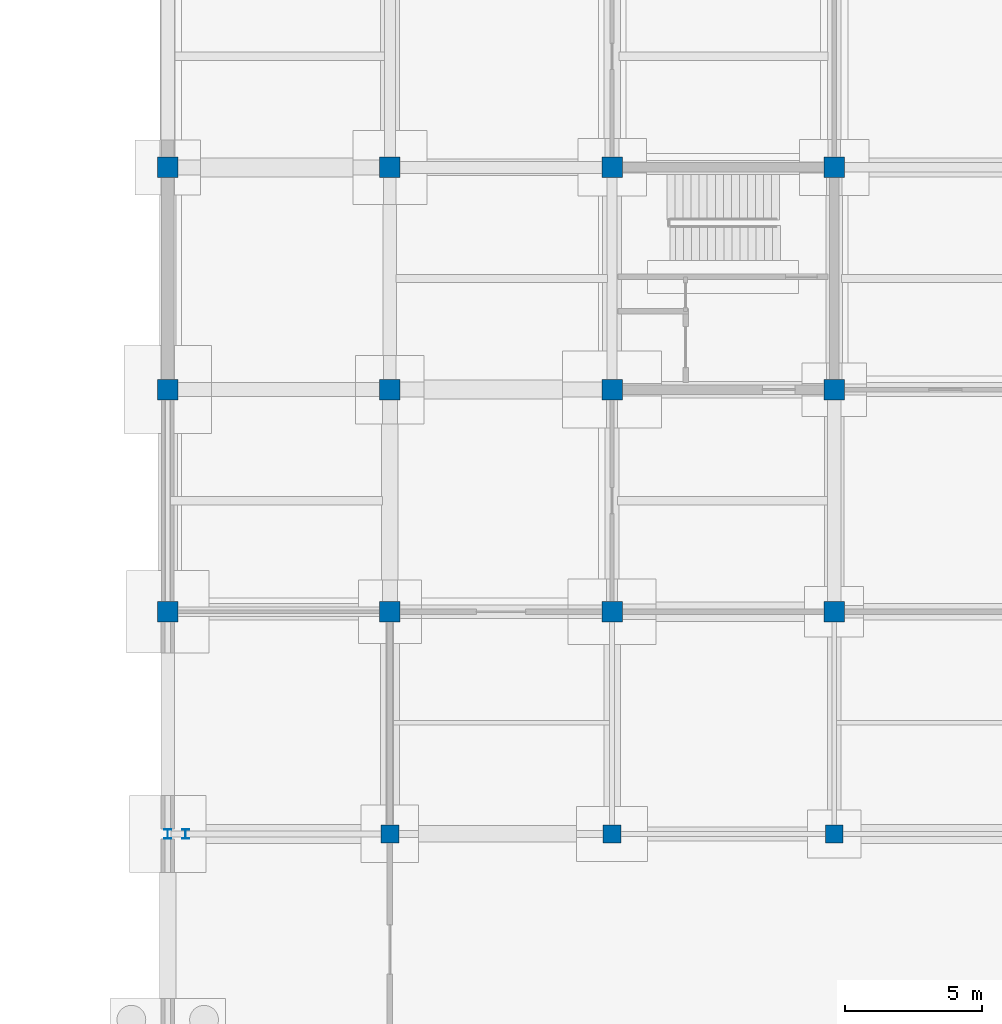
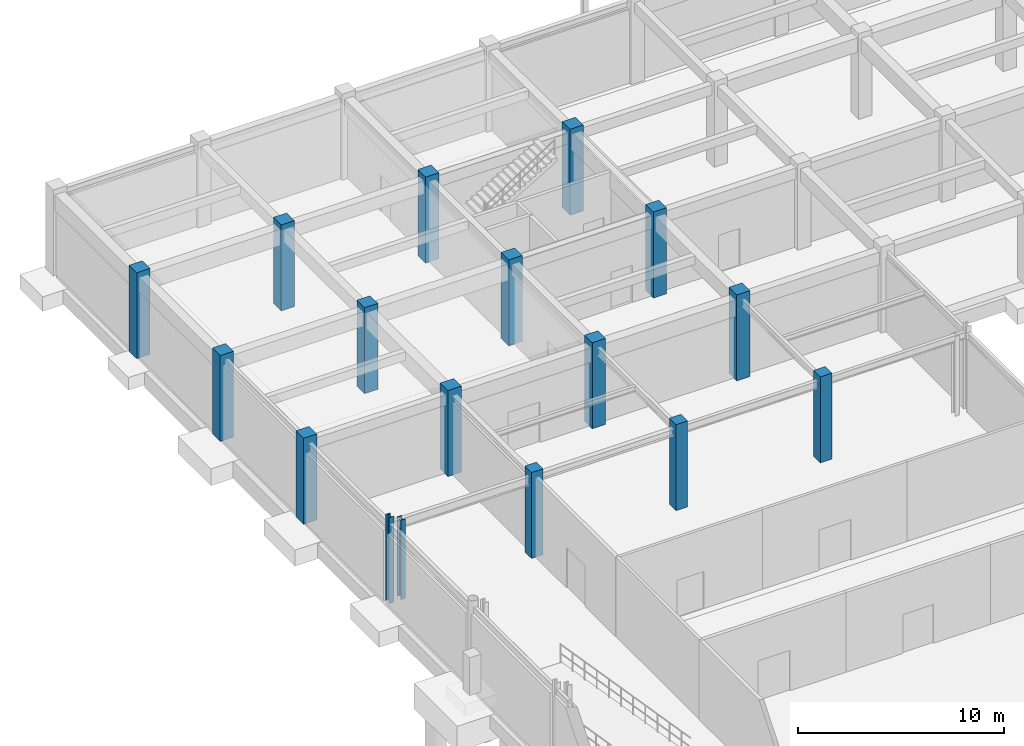
# One storey, part 20 of 67: 17 columns.
"""IFC4 building model written with IfcOpenShell, lengths in metres."""

from ifc_helpers import new_model, si_unit, direction, frame, origin, origin_2d, place, context, subcontext, project, spatial, rectangle, i_section, extrude, material, material_profile, profile_set, type_object, element, save


model = new_model("IFC4")

# Units and contexts
model_context = context("Model", 3, precision=1e-05, world=origin(), true_north=direction((0.0, 1.0)))
body_context = subcontext(model_context, "Body", "Model", "MODEL_VIEW")
ifc_project = project(units=[si_unit("LENGTHUNIT", "METRE"), si_unit("AREAUNIT", "SQUARE_METRE"), si_unit("VOLUMEUNIT", "CUBIC_METRE"), si_unit("PLANEANGLEUNIT", "RADIAN"), si_unit("MASSUNIT", "GRAM", prefix="KILO")], contexts=[model_context])

# Site, building, storey
site_placement = place(None, origin())
site = spatial("IfcSite", under=ifc_project, at=site_placement, CompositionType="ELEMENT")
building_placement = place(site_placement, origin())
building = spatial("IfcBuilding", under=site, at=building_placement, Name="Vaudrelin Polytechnic", CompositionType="ELEMENT")
storey_placement = place(building_placement, frame((0.0, 0.0, -5.10009765625)))
storey = spatial("IfcBuildingStorey", under=building, at=storey_placement, Name="B1", CompositionType="ELEMENT", Elevation=-5.10009765625)

# Columns
ifc_material_1 = material(Name="Concrete 40 MPa", Category="concrete")
ifc_material_profile_1 = material_profile(ifc_material_1, rectangle(XDim=0.64990234375, YDim=0.64990234375, at=origin_2d()), Name="RC650x650")
ifc_profile_set_1 = profile_set([ifc_material_profile_1], Name="Concrete 40 MPa")
column_type_1 = type_object("IfcColumnType", Name="COL-C-RC650", PredefinedType="COLUMN", material=ifc_profile_set_1)
for number, where, z_axis, x_axis, name in (
    (1, (8.10009765625, 89.10009765625, 0.0), (0.0, 0.0, 1.0), (1.0, 0.0, 0.0), "Column B1 2-12"),
    (2, (16.199951171875, 89.10009765625, 0.0), (0.0, 0.0, 1.0), (1.0, 0.0, 0.0), "Column B1 3-12"),
    (3, (24.300048828125, 89.10009765625, 0.0), (0.0, 0.0, 1.0), (1.0, 0.0, 0.0), "Column B1 4-12"),
):
    element("IfcColumn", number, at=place(storey_placement, frame(where, z_axis=z_axis, x_axis=x_axis)), inside=storey, type_object=column_type_1, Name=name, PredefinedType="COLUMN", context=body_context, shape_type="SweptSolid", body=[
        extrude(rectangle(XDim=0.64990234375, YDim=0.64990234375, at=origin_2d()), origin(), (0.0, 0.0, 1.0), 5.10009765625),
    ])
ifc_material_2 = material(Name="Concrete 50 MPa", Category="concrete")
ifc_material_profile_2 = material_profile(ifc_material_2, rectangle(XDim=0.75, YDim=0.75, at=origin_2d()), Name="RC750x750")
ifc_profile_set_2 = profile_set([ifc_material_profile_2], Name="Concrete 50 MPa")
column_type_2 = type_object("IfcColumnType", Name="COL-C-RC750", PredefinedType="COLUMN", material=ifc_profile_set_2)
for number, where, z_axis, x_axis, name in (
    (4, (0.0, 97.199951171875, 0.0), (0.0, 0.0, 1.0), (1.0, 0.0, 0.0), "Column B1 1-13"),
    (5, (0.0, 105.300048828125, 0.0), (0.0, 0.0, 1.0), (1.0, 0.0, 0.0), "Column B1 1-14"),
    (6, (0.0, 113.39990234375, 0.0), (0.0, 0.0, 1.0), (1.0, 0.0, 0.0), "Column B1 1-15"),
    (7, (8.10009765625, 97.199951171875, 0.0), (0.0, 0.0, 1.0), (1.0, 0.0, 0.0), "Column B1 2-13"),
    (8, (8.10009765625, 105.300048828125, 0.0), (0.0, 0.0, 1.0), (1.0, 0.0, 0.0), "Column B1 2-14"),
    (9, (8.10009765625, 113.39990234375, 0.0), (0.0, 0.0, 1.0), (1.0, 0.0, 0.0), "Column B1 2-15"),
    (10, (16.199951171875, 97.199951171875, 0.0), (0.0, 0.0, 1.0), (1.0, 0.0, 0.0), "Column B1 3-13"),
    (11, (16.199951171875, 105.300048828125, 0.0), (0.0, 0.0, 1.0), (1.0, 0.0, 0.0), "Column B1 3-14"),
    (12, (16.199951171875, 113.39990234375, 0.0), (0.0, 0.0, 1.0), (1.0, 0.0, 0.0), "Column B1 3-15"),
    (13, (24.300048828125, 97.199951171875, 0.0), (0.0, 0.0, 1.0), (1.0, 0.0, 0.0), "Column B1 4-13"),
    (14, (24.300048828125, 105.300048828125, 0.0), (0.0, 0.0, 1.0), (1.0, 0.0, 0.0), "Column B1 4-14"),
    (15, (24.300048828125, 113.39990234375, 0.0), (0.0, 0.0, 1.0), (1.0, 0.0, 0.0), "Column B1 4-15"),
):
    element("IfcColumn", number, at=place(storey_placement, frame(where, z_axis=z_axis, x_axis=x_axis)), inside=storey, type_object=column_type_2, Name=name, PredefinedType="COLUMN", context=body_context, shape_type="SweptSolid", body=[
        extrude(rectangle(XDim=0.75, YDim=0.75, at=origin_2d()), origin(), (0.0, 0.0, 1.0), 5.10009765625),
    ])
ifc_material_3 = material(Name="Steel CSA G40.21 350W", Category="steel")
ifc_material_profile_3 = material_profile(ifc_material_3, i_section(OverallWidth=0.25390625, OverallDepth=0.35302734375, WebThickness=0.009521484375, FlangeThickness=0.016357421875, FilletRadius=0.01611328125, at=origin_2d()), Name="W360x91")
ifc_profile_set_3 = profile_set([ifc_material_profile_3], Name="Steel CSA G40.21 350W")
column_type_3 = type_object("IfcColumnType", Name="COL-C-W360", PredefinedType="PILASTER", material=ifc_profile_set_3)
column_1_placement = place(storey_placement, frame((0.0, 89.10009765625, 0.0), z_axis=(0.0, 0.0, 1.0), x_axis=(1.0, 0.0, 0.0)))
element("IfcColumn", 16, at=column_1_placement, inside=storey, type_object=column_type_3, Name="Column B1 1-12", PredefinedType="PILASTER", context=body_context, shape_type="SweptSolid", body=[
    extrude(i_section(OverallWidth=0.25390625, OverallDepth=0.35302734375, WebThickness=0.009521484375, FlangeThickness=0.016357421875, FilletRadius=0.01611328125, at=origin_2d()), origin(), (0.0, 0.0, 1.0), 5.10009765625),
])
column_2_placement = place(storey_placement, frame((0.64990234375, 89.10009765625, 0.0), z_axis=(0.0, 0.0, 1.0), x_axis=(1.0, 0.0, 0.0)))
element("IfcColumn", 17, at=column_2_placement, inside=storey, type_object=column_type_3, Name="Basement crane support post WEST-11", PredefinedType="PILASTER", context=body_context, shape_type="SweptSolid", body=[
    extrude(i_section(OverallWidth=0.25390625, OverallDepth=0.35302734375, WebThickness=0.009521484375, FlangeThickness=0.016357421875, FilletRadius=0.01611328125, at=origin_2d()), origin(), (0.0, 0.0, 1.0), 4.72412109375),
])

save(model, "model.ifc")
